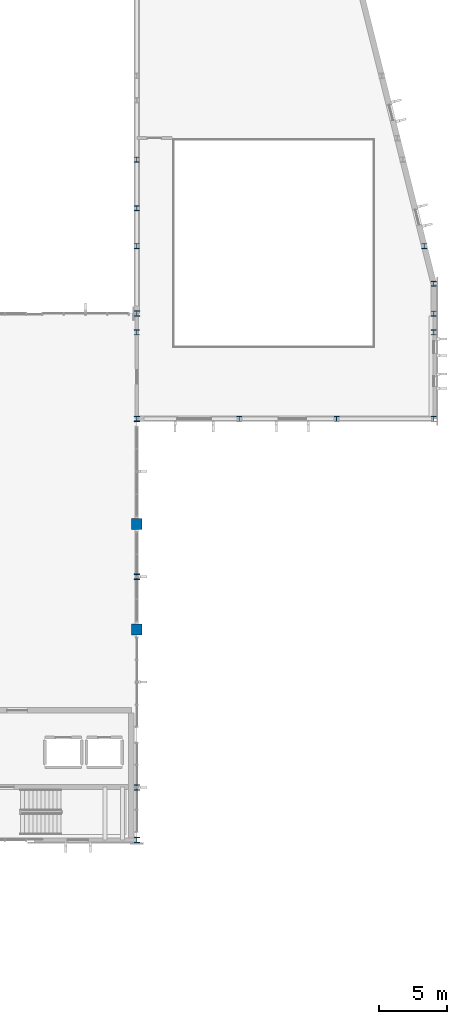
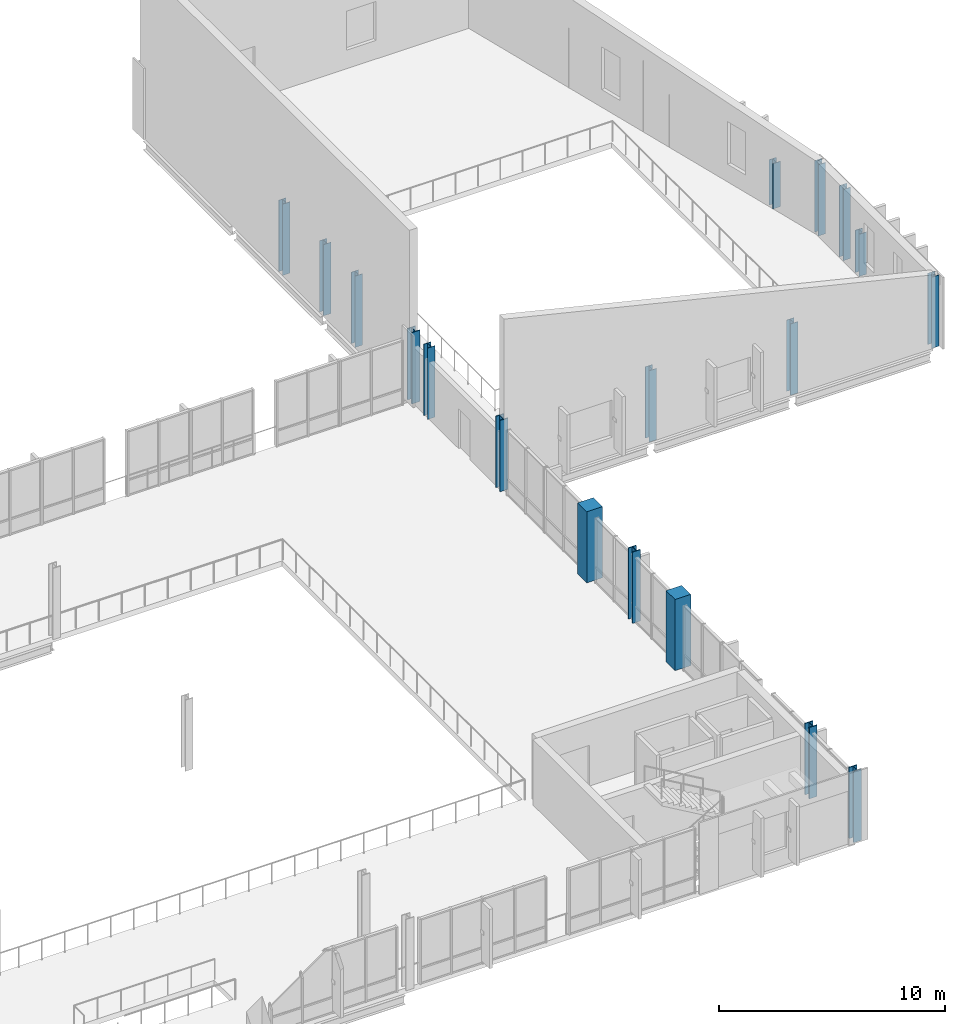
# One storey, part 9 of 64: 18 columns.
"""IFC4 building model written with IfcOpenShell, lengths in metres."""

import ifcopenshell
import ifcopenshell.guid

model = None  # the IFC model being written
_history = None  # IfcOwnerHistory: only IFC2X3 demands one
_inside = {}  # id of a spatial element -> (the spatial element, [elements in it])
_under = {}  # id of a project, library or spatial element -> (it, [spatial elements below it])
_declared = {}  # id of a project -> (the project, [libraries it declares])
_typed = {}  # id of a type object -> (the type object, [elements of that type])
_made_of = {}  # id of a material, layer set ... -> (it, [elements and type objects made of it])


def new_model(schema):
    """Start an empty IFC model of exactly this schema.

    Asked for "IFC4X3", IfcOpenShell would pick the latest addendum, in which some entities
    have other attributes; the version numbers below select the first issue.
    IFC2X3 requires an IfcOwnerHistory on every rooted entity: one is made here for all.
    """
    global model, _history
    if schema == "IFC4X3":
        model = ifcopenshell.file(schema_version=(4, 3, 0, 0))
    else:
        model = ifcopenshell.file(schema=schema)
    _inside.clear()
    _under.clear()
    _declared.clear()
    _typed.clear()
    _made_of.clear()
    _history = None
    if model.schema == "IFC2X3":
        org = make("IfcOrganization", Name="unknown")
        user = make(
            "IfcPersonAndOrganization",
            ThePerson=make("IfcPerson", FamilyName="unknown"),
            TheOrganization=org,
        )
        app = make(
            "IfcApplication",
            ApplicationDeveloper=org,
            Version="unknown",
            ApplicationFullName="unknown",
            ApplicationIdentifier="unknown",
        )
        _history = make(
            "IfcOwnerHistory",
            OwningUser=user,
            OwningApplication=app,
            ChangeAction="ADDED",
            CreationDate=0,
        )
    return model


def make(cls, **values):
    """One entity of the class cls with the attributes given. An attribute that is None is left unset."""
    return model.create_entity(
        cls, **{name: value for name, value in values.items() if value is not None}
    )


def rooted(cls, **values):
    """An entity with a GlobalId (a new one), such as an element, a storey or a relation."""
    return make(cls, GlobalId=ifcopenshell.guid.new(), OwnerHistory=_history, **values)


def si_unit(unit_type, name, prefix=None):
    """IfcSIUnit, for example si_unit("LENGTHUNIT", "METRE", prefix="MILLI")."""
    return make("IfcSIUnit", UnitType=unit_type, Prefix=prefix, Name=name)


def assignment(units):
    """IfcUnitAssignment: the units of a project."""
    return None if units is None else make("IfcUnitAssignment", Units=units)


def point(xyz):
    """IfcCartesianPoint."""
    return None if xyz is None else make("IfcCartesianPoint", Coordinates=xyz)


def direction(xyz):
    """IfcDirection."""
    return None if xyz is None else make("IfcDirection", DirectionRatios=xyz)


def frame(location, z_axis=None, x_axis=None):
    """IfcAxis2Placement3D, a coordinate frame: its origin and axes. An axis left out is left unset."""
    return make(
        "IfcAxis2Placement3D",
        Location=point(location),
        Axis=direction(z_axis),
        RefDirection=direction(x_axis),
    )


def frame_2d(location, x_axis=None):
    """IfcAxis2Placement2D, a coordinate frame in the plane: its origin and x axis."""
    return make(
        "IfcAxis2Placement2D", Location=point(location), RefDirection=direction(x_axis)
    )


def origin():
    """The frame at (0, 0, 0) with its axes left unset."""
    return frame((0.0, 0.0, 0.0))


def origin_2d():
    """The frame at (0, 0) in the plane with its x axis left unset."""
    return frame_2d((0.0, 0.0))


def place(relative_to, where):
    """IfcLocalPlacement: puts the frame where relative to a parent placement (None: the world)."""
    return make(
        "IfcLocalPlacement", PlacementRelTo=relative_to, RelativePlacement=where
    )


def context(
    kind, dimensions, precision=None, world=None, true_north=None, identifier=None
):
    """IfcGeometricRepresentationContext, for example the 3D "Model" context."""
    return make(
        "IfcGeometricRepresentationContext",
        ContextIdentifier=identifier,
        ContextType=kind,
        CoordinateSpaceDimension=dimensions,
        Precision=precision,
        WorldCoordinateSystem=world,
        TrueNorth=true_north,
    )


def subcontext(parent, identifier, kind, view, scale=None):
    """IfcGeometricRepresentationSubContext, for example "Body" below "Model"."""
    return make(
        "IfcGeometricRepresentationSubContext",
        ContextIdentifier=identifier,
        ContextType=kind,
        ParentContext=parent,
        TargetScale=scale,
        TargetView=view,
    )


def project(units=None, contexts=None):
    """IfcProject with its units and contexts."""
    return rooted(
        "IfcProject",
        Name="project",
        RepresentationContexts=contexts,
        UnitsInContext=assignment(units),
    )


def spatial(cls, under=None, at=None, **own):
    """A site, building, storey or space (cls), placed at a placement, below another one or the project."""
    s = rooted(cls, ObjectPlacement=at, **own)
    if under is not None:
        _under.setdefault(under.id(), (under, []))[1].append(s)
    return s


def profile(cls, at=None, kind="AREA", **sizes):
    """A parametric profile (cls). Its sizes go by their IFC names, for example OverallWidth=200.0."""
    return make(cls, ProfileType=kind, Position=at, **sizes)


def rectangle(**sizes):
    """IfcRectangleProfileDef."""
    return profile("IfcRectangleProfileDef", **sizes)


def i_section(**sizes):
    """IfcIShapeProfileDef."""
    return profile("IfcIShapeProfileDef", **sizes)


def extrude(swept, where, along, depth):
    """IfcExtrudedAreaSolid: the profile swept, set in the frame where, extruded along a direction by depth."""
    return make(
        "IfcExtrudedAreaSolid",
        SweptArea=swept,
        Position=where,
        ExtrudedDirection=direction(along),
        Depth=depth,
    )


def shape(context_of_items, identifier, shape_type, items):
    """IfcShapeRepresentation: the items that make up one representation, for example the "Body"."""
    return make(
        "IfcShapeRepresentation",
        ContextOfItems=context_of_items,
        RepresentationIdentifier=identifier,
        RepresentationType=shape_type,
        Items=items,
    )


def material(Name=None, Category=None):
    """IfcMaterial."""
    return make("IfcMaterial", Name=Name, Category=Category)


def material_profile(
    of_material, cross_section, Name=None, Category=None, Priority=None
):
    """IfcMaterialProfile: a cross section and its material."""
    return make(
        "IfcMaterialProfile",
        Name=Name,
        Material=of_material,
        Profile=cross_section,
        Priority=Priority,
        Category=Category,
    )


def profile_set(profiles, Name=None, composite=None):
    """IfcMaterialProfileSet."""
    return make(
        "IfcMaterialProfileSet",
        Name=Name,
        MaterialProfiles=profiles,
        CompositeProfile=composite,
    )


def made_of(thing, what):
    """Note that an element or type object is made of a material, layer set ...; save() writes the relation."""
    if what is not None:
        _made_of.setdefault(what.id(), (what, []))[1].append(thing)
    return thing


def type_object(cls, material=None, **own):
    """A type object (cls), such as IfcWallType, which elements share."""
    return made_of(rooted(cls, **own), material)


def element(
    cls,
    number,
    at=None,
    inside=None,
    cuts=None,
    type_object=None,
    material=None,
    context=None,
    identifier="Body",
    shape_type=None,
    held_by="IfcProductDefinitionShape",
    body=None,
    shapes=None,
    **own,
):
    """One element of the class cls, such as IfcWall. Its Tag is "e" and its number.

    at: its placement. inside: the storey or other place that contains it. cuts: it is an
    opening in that element (IfcRelVoidsElement). A single representation is given by context,
    identifier, shape_type and body (its items); several are given by shapes. held_by: the class
    of the entity that holds the representations. save() writes the other relations.
    """
    e = rooted(cls, Tag="e%d" % number, ObjectPlacement=at, **own)
    if body is not None:
        shapes = [shape(context, identifier, shape_type, body)]
    if shapes is not None:
        e.Representation = make(held_by, Representations=shapes)
    if inside is not None:
        _inside.setdefault(inside.id(), (inside, []))[1].append(e)
    if cuts is not None:
        rooted(
            "IfcRelVoidsElement", RelatingBuildingElement=cuts, RelatedOpeningElement=e
        )
    if type_object is not None:
        _typed.setdefault(type_object.id(), (type_object, []))[1].append(e)
    return made_of(e, material)


def aggregate(whole, parts):
    """IfcRelAggregates: a whole, such as a stair, and the parts it consists of."""
    return rooted("IfcRelAggregates", RelatingObject=whole, RelatedObjects=parts)


def save(model, path):
    """Write the relations noted so far, then the file.

    IfcRelAggregates (storeys below a building ...), IfcRelContainedInSpatialStructure (elements
    in a storey), IfcRelDefinesByType, IfcRelAssociatesMaterial and IfcRelDeclares: one each for
    every whole, place, type object, material and project.
    """
    for whole, parts in _under.values():
        aggregate(whole, parts)
    for where, things in _inside.values():
        rooted(
            "IfcRelContainedInSpatialStructure",
            RelatedElements=things,
            RelatingStructure=where,
        )
    for kind, things in _typed.values():
        rooted("IfcRelDefinesByType", RelatedObjects=things, RelatingType=kind)
    for what, things in _made_of.values():
        rooted("IfcRelAssociatesMaterial", RelatedObjects=things, RelatingMaterial=what)
    for by, libraries in _declared.values():
        rooted("IfcRelDeclares", RelatingContext=by, RelatedDefinitions=libraries)
    model.write(path)


model = new_model("IFC4")

# Units and contexts
model_context = context("Model", 3, precision=1e-05, world=origin(), true_north=direction((0.0, 1.0)))
body_context = subcontext(model_context, "Body", "Model", "MODEL_VIEW")
ifc_project = project(units=[si_unit("LENGTHUNIT", "METRE"), si_unit("AREAUNIT", "SQUARE_METRE"), si_unit("VOLUMEUNIT", "CUBIC_METRE"), si_unit("PLANEANGLEUNIT", "RADIAN"), si_unit("MASSUNIT", "GRAM", prefix="KILO")], contexts=[model_context])

# Site, building, storey
site_placement = place(None, origin())
site = spatial("IfcSite", under=ifc_project, at=site_placement, CompositionType="ELEMENT")
building_placement = place(site_placement, origin())
building = spatial("IfcBuilding", under=site, at=building_placement, Name="Vervanel Yard Central Library", CompositionType="ELEMENT")
storey_placement = place(building_placement, frame((0.0, 0.0, 8.93994140625)))
storey = spatial("IfcBuildingStorey", under=building, at=storey_placement, Name="L02", CompositionType="ELEMENT", Elevation=8.93994140625)

# Columns
ifc_material_1 = material(Name="Concrete C45/55", Category="concrete")
ifc_material_profile_1 = material_profile(ifc_material_1, rectangle(XDim=0.800048828125, YDim=0.800048828125, at=origin_2d()), Name="RC 800x800", Category="concrete")
ifc_profile_set_1 = profile_set([ifc_material_profile_1], Name="Concrete C45/55")
column_type_1 = type_object("IfcColumnType", Name="Concrete Column 800x800", PredefinedType="COLUMN", material=ifc_profile_set_1)
for number, where, z_axis, x_axis, name in (
    (1, (146.0, 58.800048828125, 0.0), (0.0, 0.0, 1.0), (1.0, 0.0, 0.0), "L02 Concrete Column 800x800 (146.0, 58.8)"),
    (2, (146.0, 66.60009765625, 0.0), (0.0, 0.0, 1.0), (1.0, 0.0, 0.0), "L02 Concrete Column 800x800 (146.0, 66.6)"),
):
    element("IfcColumn", number, at=place(storey_placement, frame(where, z_axis=z_axis, x_axis=x_axis)), inside=storey, type_object=column_type_1, Name=name, PredefinedType="COLUMN", context=body_context, shape_type="SweptSolid", body=[
        extrude(rectangle(XDim=0.800048828125, YDim=0.800048828125, at=origin_2d()), origin(), (0.0, 0.0, 1.0), 3.840087890625),
    ])
ifc_material_2 = material(Name="Steel ASTM A992 Grade 50", Category="steel")
ifc_material_profile_2 = material_profile(ifc_material_2, i_section(OverallWidth=0.373291015625, OverallDepth=0.368408203125, WebThickness=0.014892578125, FlangeThickness=0.02392578125, at=origin_2d()), Name="W14X120", Category="steel")
ifc_profile_set_2 = profile_set([ifc_material_profile_2], Name="Steel ASTM A992 Grade 50")
column_type_2 = type_object("IfcColumnType", Name="Steel Column W14X120", PredefinedType="COLUMN", material=ifc_profile_set_2)
for number, where, z_axis, x_axis, name in (
    (3, (146.0, 90.0, 0.0), (0.0, 0.0, 1.0), (1.0, 0.0, 0.0), "L02 Steel Column W14X120 (146.0, 90.0)"),
    (4, (153.60009765625, 74.39990234375, 0.0), (0.0, 0.0, 1.0), (1.0, 0.0, 0.0), "L02 Steel Column W14X120 (153.6, 74.4)"),
    (5, (160.800048828125, 74.39990234375, 0.0), (0.0, 0.0, 1.0), (1.0, 0.0, 0.0), "L02 Steel Column W14X120 (160.8, 74.4)"),
    (6, (168.0, 74.39990234375, 0.0), (0.0, 0.0, 1.0), (1.0, 0.0, 0.0), "L02 Steel Column W14X120 (168.0, 74.4)"),
    (7, (168.0, 82.199951171875, 0.0), (0.0, 0.0, 1.0), (1.0, 0.0, 0.0), "L02 Steel Column W14X120 (168.0, 82.2)"),
    (8, (168.0, 84.39990234375, 0.0), (0.0, 0.0, 1.0), (1.0, 0.0, 0.0), "L02 Steel Column W14X120 (168.0, 84.4)"),
    (9, (146.0, 80.800048828125, 0.0), (0.0, 0.0, 1.0), (1.0, 0.0, 0.0), "L02 Auditorium West Post 2"),
):
    element("IfcColumn", number, at=place(storey_placement, frame(where, z_axis=z_axis, x_axis=x_axis)), inside=storey, type_object=column_type_2, Name=name, PredefinedType="COLUMN", context=body_context, shape_type="SweptSolid", body=[
        extrude(i_section(OverallWidth=0.373291015625, OverallDepth=0.368408203125, WebThickness=0.014892578125, FlangeThickness=0.02392578125, at=origin_2d()), origin(), (0.0, 0.0, 1.0), 3.840087890625),
    ])
column_1_placement = place(storey_placement, frame((168.0, 80.800048828125, 0.0), z_axis=(0.0, 0.0, 1.0), x_axis=(1.0, 0.0, 0.0)))
element("IfcColumn", 10, at=column_1_placement, inside=storey, type_object=column_type_2, Name="L02 Auditorium East Post 2", PredefinedType="COLUMN", context=body_context, shape_type="SweptSolid", body=[
    extrude(i_section(OverallWidth=0.373291015625, OverallDepth=0.368408203125, WebThickness=0.014892578125, FlangeThickness=0.02392578125, at=origin_2d()), origin(), (0.0, 0.0, 1.0), 2.280029296875),
])
column_2_placement = place(storey_placement, frame((146.0, 87.199951171875, 0.0), z_axis=(0.0, 0.0, 1.0), x_axis=(1.0, 0.0, 0.0)))
element("IfcColumn", 11, at=column_2_placement, inside=storey, type_object=column_type_2, Name="L02 Auditorium West Post 3", PredefinedType="COLUMN", context=body_context, shape_type="SweptSolid", body=[
    extrude(i_section(OverallWidth=0.373291015625, OverallDepth=0.368408203125, WebThickness=0.014892578125, FlangeThickness=0.02392578125, at=origin_2d()), origin(), (0.0, 0.0, 1.0), 3.840087890625),
])
column_3_placement = place(storey_placement, frame((167.300048828125, 87.199951171875, 0.0), z_axis=(0.0, 0.0, 1.0), x_axis=(1.0, 0.0, 0.0)))
element("IfcColumn", 12, at=column_3_placement, inside=storey, type_object=column_type_2, Name="L02 Auditorium East Post 3", PredefinedType="COLUMN", context=body_context, shape_type="SweptSolid", body=[
    extrude(i_section(OverallWidth=0.373291015625, OverallDepth=0.368408203125, WebThickness=0.014892578125, FlangeThickness=0.02392578125, at=origin_2d()), origin(), (0.0, 0.0, 1.0), 2.44873046875),
])
column_4_placement = place(storey_placement, frame((146.0, 93.60009765625, 0.0), z_axis=(0.0, 0.0, 1.0), x_axis=(1.0, 0.0, 0.0)))
element("IfcColumn", 13, at=column_4_placement, inside=storey, type_object=column_type_2, Name="L02 Auditorium West Post 4", PredefinedType="COLUMN", context=body_context, shape_type="SweptSolid", body=[
    extrude(i_section(OverallWidth=0.373291015625, OverallDepth=0.368408203125, WebThickness=0.014892578125, FlangeThickness=0.02392578125, at=origin_2d()), origin(), (0.0, 0.0, 1.0), 3.840087890625),
])
ifc_material_profile_3 = material_profile(ifc_material_2, i_section(OverallWidth=0.406494140625, OverallDepth=0.41650390625, WebThickness=0.030029296875, FlangeThickness=0.048095703125, at=origin_2d()), Name="W14X257", Category="steel")
ifc_profile_set_3 = profile_set([ifc_material_profile_3], Name="Steel ASTM A992 Grade 50")
column_type_3 = type_object("IfcColumnType", Name="Steel Fulcrum Post W14X257", PredefinedType="COLUMN", material=ifc_profile_set_3)
for number, where, z_axis, x_axis, name in (
    (14, (146.0, 74.39990234375, 0.0), (0.0, 0.0, 1.0), (1.0, 0.0, 0.0), "L02 Steel Fulcrum Post W14X257 (146.0, 74.4)"),
    (15, (146.0, 82.199951171875, 0.0), (0.0, 0.0, 1.0), (1.0, 0.0, 0.0), "L02 Steel Fulcrum Post W14X257 (146.0, 82.2)"),
    (16, (146.0, 47.10009765625, 0.0), (0.0, 0.0, 1.0), (1.0, 0.0, 0.0), "L02 Prow Truss S Post (146.0, 47.1)"),
    (17, (146.0, 62.699951171875, 0.0), (0.0, 0.0, 1.0), (1.0, 0.0, 0.0), "L02 Prow Truss N Post (146.0, 62.7)"),
    (18, (146.0, 43.199951171875, 0.0), (0.0, 0.0, 1.0), (1.0, 0.0, 0.0), "L02 V3 Spandrel Stack Post S X=146.0"),
):
    element("IfcColumn", number, at=place(storey_placement, frame(where, z_axis=z_axis, x_axis=x_axis)), inside=storey, type_object=column_type_3, Name=name, PredefinedType="COLUMN", context=body_context, shape_type="SweptSolid", body=[
        extrude(i_section(OverallWidth=0.406494140625, OverallDepth=0.41650390625, WebThickness=0.030029296875, FlangeThickness=0.048095703125, at=origin_2d()), origin(), (0.0, 0.0, 1.0), 3.840087890625),
    ])

save(model, "model.ifc")
